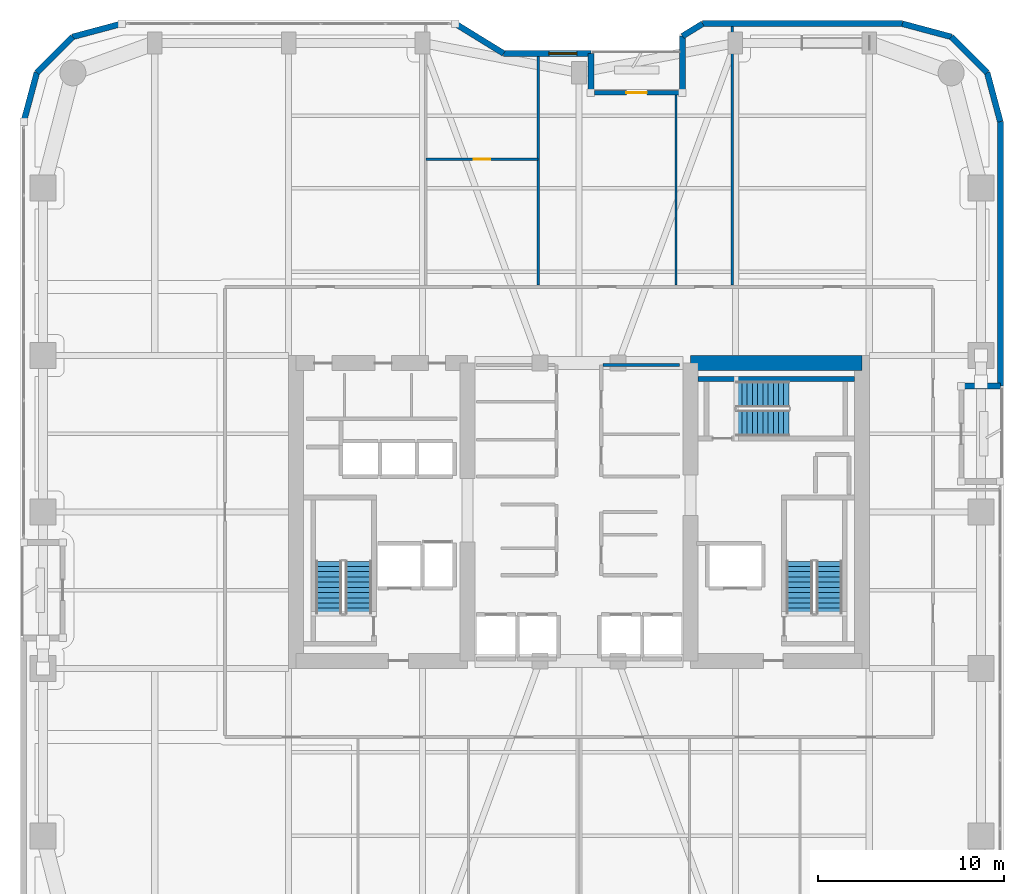
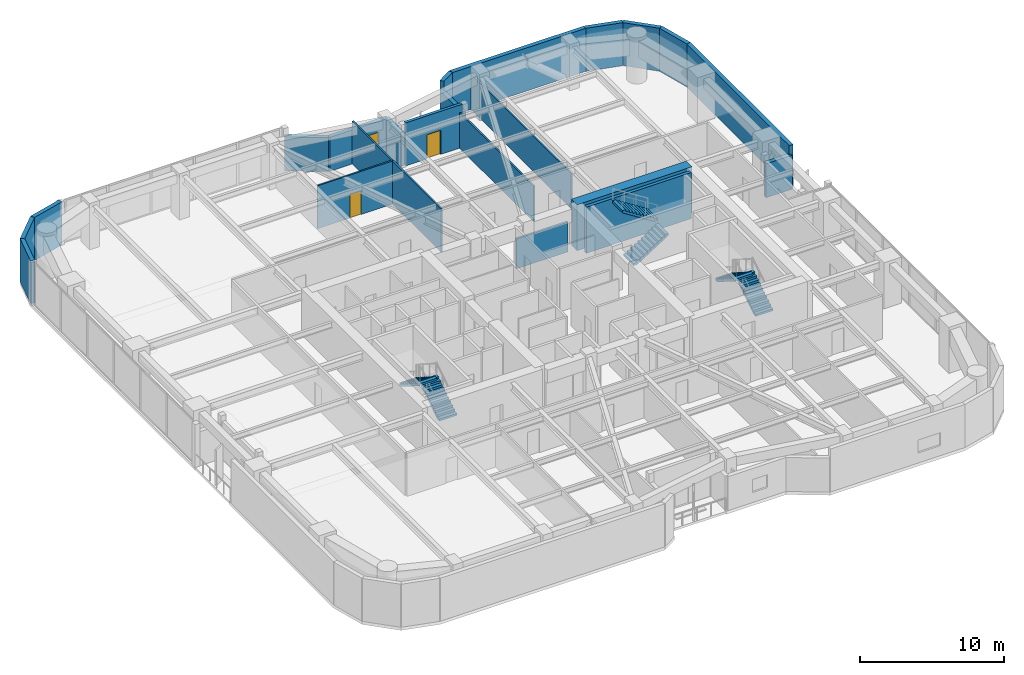
# One storey, part 21 of 24: 22 walls, 6 stair flights, 2 doors, 1 window, 3 openings, 3 elements without a shape of their own.
"""IFC4 building model written with IfcOpenShell, lengths in metres."""

from ifc_helpers import new_model, si_unit, direction, frame, frame_2d, origin, place, context, subcontext, project, spatial, polyline, rectangle, outline, extrude, material, layer, layer_set, type_object, element, fill, aggregate, save


model = new_model("IFC4")

# Units and contexts
model_context = context("Model", 3, precision=1e-05, world=origin(), true_north=direction((0.0, 1.0)))
body_context = subcontext(model_context, "Body", "Model", "MODEL_VIEW")
ifc_project = project(units=[si_unit("LENGTHUNIT", "METRE"), si_unit("AREAUNIT", "SQUARE_METRE"), si_unit("VOLUMEUNIT", "CUBIC_METRE"), si_unit("PLANEANGLEUNIT", "RADIAN"), si_unit("MASSUNIT", "GRAM", prefix="KILO")], contexts=[model_context])

# Site, building, storey
site_placement = place(None, origin())
site = spatial("IfcSite", under=ifc_project, at=site_placement, CompositionType="ELEMENT")
building_placement = place(site_placement, origin())
building = spatial("IfcBuilding", under=site, at=building_placement, Name="Kiyonajd Concourse Tower", CompositionType="ELEMENT")
storey_placement = place(building_placement, frame((0.0, 0.0, 101.39990234375)))
storey = spatial("IfcBuildingStorey", under=building, at=storey_placement, Name="L26", CompositionType="ELEMENT", Elevation=101.39990234375)

# Walls
ifc_material_1 = material(Name="Concrete C70/85", Category="concrete")
ifc_layer_1 = layer(ifc_material_1, 0.800048828125)
ifc_layer_set_1 = layer_set([ifc_layer_1], Name="Concrete C70/85")
wall_type_1 = type_object("IfcWallType", Name="WL-CORE-800", PredefinedType="SHEAR", material=ifc_layer_set_1)
wall_1_placement = place(storey_placement, frame((54.0, 44.0, 0.0), z_axis=(0.0, 0.0, 1.0), x_axis=(1.0, 0.0, 0.0)))
element("IfcWall", 1, at=wall_1_placement, inside=storey, type_object=wall_type_1, Name="L26 East Core North Shear Wall", PredefinedType="SHEAR", context=body_context, shape_type="SweptSolid", body=[
    extrude(rectangle(XDim=9.199951171875, YDim=0.800048828125, at=frame_2d((4.60009765625, 0.0))), origin(), (0.0, 0.0, 1.0), 3.900146484375),
])
ifc_material_2 = material(Name="Precast concrete C50/60", Category="concrete")
ifc_layer_2 = layer(ifc_material_2, 0.320068359375)
ifc_layer_set_2 = layer_set([ifc_layer_2], Name="Precast concrete C50/60")
wall_type_2 = type_object("IfcWallType", Name="WL-EXT-320", PredefinedType="SOLIDWALL", material=ifc_layer_set_2)
wall_2_placement = place(storey_placement, frame((18.159912109375, 56.97900390625, 0.0), z_axis=(0.0, 0.0, 1.0), x_axis=(0.25869736047, 0.965958423373, 0.0)))
element("IfcWall", 2, at=wall_2_placement, inside=storey, type_object=wall_type_2, Name="L26 Exterior Concrete Frame Wall 06", PredefinedType="SOLIDWALL", context=body_context, shape_type="SweptSolid", body=[
    extrude(rectangle(XDim=2.731201171875, YDim=0.320068359375, at=frame_2d((1.36572265625, 0.0))), origin(), (0.0, 0.0, 1.0), 3.64013671875),
])
wall_3_placement = place(storey_placement, frame((18.866455078125, 59.6171875, 0.0), z_axis=(0.0, 0.0, 1.0), x_axis=(0.707106781187, 0.707106781187, 0.0)))
element("IfcWall", 3, at=wall_3_placement, inside=storey, type_object=wall_type_2, Name="L26 Exterior Concrete Frame Wall 07", PredefinedType="SOLIDWALL", context=body_context, shape_type="SweptSolid", body=[
    extrude(rectangle(XDim=2.7099609375, YDim=0.320068359375, at=frame_2d((1.35498046875, 0.0))), origin(), (0.0, 0.0, 1.0), 3.64013671875),
])
wall_4_placement = place(storey_placement, frame((20.78271484375, 61.533447265625, 0.0), z_axis=(0.0, 0.0, 1.0), x_axis=(0.965964405026, 0.25867502435, 0.0)))
element("IfcWall", 4, at=wall_4_placement, inside=storey, type_object=wall_type_2, Name="L26 Exterior Concrete Frame Wall 08", PredefinedType="SOLIDWALL", context=body_context, shape_type="SweptSolid", body=[
    extrude(rectangle(XDim=2.7314453125, YDim=0.320068359375, at=frame_2d((1.36572265625, 0.0))), origin(), (0.0, 0.0, 1.0), 3.64013671875),
])
wall_5_placement = place(storey_placement, frame((41.354736328125, 62.239990234375, 0.0), z_axis=(0.0, 0.0, 1.0), x_axis=(0.851630857047, -0.524142044989, 0.0)))
element("IfcWall", 5, at=wall_5_placement, inside=storey, type_object=wall_type_2, Name="L26 Exterior Concrete Frame Wall 10", PredefinedType="SOLIDWALL", context=body_context, shape_type="SweptSolid", body=[
    extrude(rectangle(XDim=3.052734375, YDim=0.320068359375, at=frame_2d((1.5263671875, 0.0))), origin(), (0.0, 0.0, 1.0), 2.875),
])

# Wall, opening, window
wall_6_placement = place(storey_placement, frame((43.95458984375, 60.639892578125, 0.0), z_axis=(0.0, 0.0, 1.0), x_axis=(1.0, 0.0, 0.0)))
wall_6 = element("IfcWall", 6, at=wall_6_placement, inside=storey, type_object=wall_type_2, Name="L26 Exterior Concrete Frame Wall 11", PredefinedType="SOLIDWALL", context=body_context, shape_type="SweptSolid", body=[
    extrude(rectangle(XDim=4.685302734375, YDim=0.320068359375, at=frame_2d((2.3427734375, 0.0))), origin(), (0.0, 0.0, 1.0), 2.875),
])
opening_1_placement = place(wall_6_placement, frame((2.425048828125, 0.0, 0.85009765625)))
opening_1 = element("IfcOpeningElement", 7, at=opening_1_placement, cuts=wall_6, Name="Opening WN2", PredefinedType="OPENING", context=body_context, shape_type="SweptSolid", body=[
    extrude(rectangle(XDim=1.5, YDim=1.10009765625, at=frame_2d((0.75, 0.550048828125))), frame((0.0, 0.169921875, 0.0), z_axis=(0.0, -1.0, 0.0), x_axis=(1.0, 0.0, 0.0)), (0.0, 0.0, 1.0), 0.340087890625),
])
ifc_material_3 = material(Name="Double Low-E Insulated Glass", Category="glass")
window_type = type_object("IfcWindowType", Name="WN-VIS-1500x1100", PartitioningType="SINGLE_PANEL", PredefinedType="WINDOW", material=ifc_material_3)
window_placement = place(opening_1_placement, origin())
window = element("IfcWindow", 8, at=window_placement, inside=storey, type_object=window_type, Name="L26 Modular Facade Vision Window 11", OverallHeight=1.10009765625, OverallWidth=1.5, PartitioningType="SINGLE_PANEL", PredefinedType="WINDOW", context=body_context, shape_type="SweptSolid", body=[
    extrude(rectangle(XDim=1.5, YDim=1.10009765625, at=frame_2d((0.75, 0.550048828125))), frame((0.0, 0.030029296875, 0.0), z_axis=(0.0, -1.0, 0.0), x_axis=(1.0, 0.0, 0.0)), (0.0, 0.0, 1.0), 0.06005859375),
])
fill(opening_1, window)

# Walls
wall_7_placement = place(storey_placement, frame((48.639892578125, 60.639892578125, 0.0), z_axis=(0.0, 0.0, 1.0), x_axis=(0.0, -1.0, 0.0)))
element("IfcWall", 9, at=wall_7_placement, inside=storey, type_object=wall_type_2, Name="L26 Exterior Concrete Frame Wall 12", PredefinedType="SOLIDWALL", context=body_context, shape_type="SweptSolid", body=[
    extrude(rectangle(XDim=2.099853515625, YDim=0.320068359375, at=frame_2d((1.0498046875, 0.0))), origin(), (0.0, 0.0, 1.0), 2.875),
])
wall_8_placement = place(storey_placement, frame((53.56005859375, 58.5400390625, 0.0), z_axis=(0.0, 0.0, 1.0), x_axis=(0.0, 1.0, 0.0)))
element("IfcWall", 10, at=wall_8_placement, inside=storey, type_object=wall_type_2, Name="L26 Exterior Concrete Frame Wall 14", PredefinedType="SOLIDWALL", context=body_context, shape_type="SweptSolid", body=[
    extrude(rectangle(XDim=3.032470703125, YDim=0.320068359375, at=frame_2d((1.51611328125, 0.0))), origin(), (0.0, 0.0, 1.0), 2.875),
])
wall_9_placement = place(storey_placement, frame((53.56005859375, 61.572509765625, 0.0), z_axis=(0.0, 0.0, 1.0), x_axis=(0.851776724646, 0.523904964045, 0.0)))
element("IfcWall", 11, at=wall_9_placement, inside=storey, type_object=wall_type_2, Name="L26 Exterior Concrete Frame Wall 15", PredefinedType="SOLIDWALL", context=body_context, shape_type="SweptSolid", body=[
    extrude(rectangle(XDim=1.274169921875, YDim=0.320068359375, at=frame_2d((0.63720703125, 0.0))), origin(), (0.0, 0.0, 1.0), 3.64013671875),
])
wall_10_placement = place(storey_placement, frame((54.645263671875, 62.239990234375, 0.0), z_axis=(0.0, 0.0, 1.0), x_axis=(1.0, 0.0, 0.0)))
element("IfcWall", 12, at=wall_10_placement, inside=storey, type_object=wall_type_2, Name="L26 Exterior Concrete Frame Wall 16", PredefinedType="SOLIDWALL", context=body_context, shape_type="SweptSolid", body=[
    extrude(rectangle(XDim=10.733642578125, YDim=0.320068359375, at=frame_2d((5.36669921875, 0.0))), origin(), (0.0, 0.0, 1.0), 3.64013671875),
])
wall_11_placement = place(storey_placement, frame((65.37890625, 62.239990234375, 0.0), z_axis=(0.0, 0.0, 1.0), x_axis=(0.965958423373, -0.25869736047, 0.0)))
element("IfcWall", 13, at=wall_11_placement, inside=storey, type_object=wall_type_2, Name="L26 Exterior Concrete Frame Wall 17", PredefinedType="SOLIDWALL", context=body_context, shape_type="SweptSolid", body=[
    extrude(rectangle(XDim=2.731201171875, YDim=0.320068359375, at=frame_2d((1.36572265625, 0.0))), origin(), (0.0, 0.0, 1.0), 3.64013671875),
])
wall_12_placement = place(storey_placement, frame((68.01708984375, 61.533447265625, 0.0), z_axis=(0.0, 0.0, 1.0), x_axis=(0.707151821269, -0.707061738235, 0.0)))
element("IfcWall", 14, at=wall_12_placement, inside=storey, type_object=wall_type_2, Name="L26 Exterior Concrete Frame Wall 18", PredefinedType="SOLIDWALL", context=body_context, shape_type="SweptSolid", body=[
    extrude(rectangle(XDim=2.710205078125, YDim=0.320068359375, at=frame_2d((1.35498046875, 0.0))), origin(), (0.0, 0.0, 1.0), 3.64013671875),
])
wall_13_placement = place(storey_placement, frame((69.93359375, 59.6171875, 0.0), z_axis=(0.0, 0.0, 1.0), x_axis=(0.258613949072, -0.965980758269, 0.0)))
element("IfcWall", 15, at=wall_13_placement, inside=storey, type_object=wall_type_2, Name="L26 Exterior Concrete Frame Wall 19", PredefinedType="SOLIDWALL", context=body_context, shape_type="SweptSolid", body=[
    extrude(rectangle(XDim=2.731201171875, YDim=0.320068359375, at=frame_2d((1.36572265625, 0.0))), origin(), (0.0, 0.0, 1.0), 3.64013671875),
])
wall_14_placement = place(storey_placement, frame((70.639892578125, 56.97900390625, 0.0), z_axis=(0.0, 0.0, 1.0), x_axis=(0.0, -1.0, 0.0)))
element("IfcWall", 16, at=wall_14_placement, inside=storey, type_object=wall_type_2, Name="L26 Exterior Concrete Frame Wall 20", PredefinedType="SOLIDWALL", context=body_context, shape_type="SweptSolid", body=[
    extrude(rectangle(XDim=14.218994140625, YDim=0.320068359375, at=frame_2d((7.109375, 0.0))), origin(), (0.0, 0.0, 1.0), 3.64013671875),
])
wall_15_placement = place(storey_placement, frame((70.639892578125, 42.760009765625, 0.0), z_axis=(0.0, 0.0, 1.0), x_axis=(-1.0, 0.0, 0.0)))
element("IfcWall", 17, at=wall_15_placement, inside=storey, type_object=wall_type_2, Name="L26 Exterior Concrete Frame Wall 21", PredefinedType="SOLIDWALL", context=body_context, shape_type="SweptSolid", body=[
    extrude(rectangle(XDim=2.099853515625, YDim=0.320068359375, at=frame_2d((1.0498046875, 0.0))), origin(), (0.0, 0.0, 1.0), 2.875),
])

# Wall, opening, door
ifc_layer_3 = layer(ifc_material_2, 0.239990234375)
ifc_layer_set_3 = layer_set([ifc_layer_3], Name="Precast concrete C50/60")
wall_type_3 = type_object("IfcWallType", Name="WL-LOG-240", PredefinedType="SOLIDWALL", material=ifc_layer_set_3)
wall_16_placement = place(storey_placement, frame((48.8349609375, 58.5400390625, 0.0), z_axis=(0.0, 0.0, 1.0), x_axis=(1.0, 0.0, 0.0)))
wall_16 = element("IfcWall", 18, at=wall_16_placement, inside=storey, type_object=wall_type_3, Name="L26 Recessed Loggia Thermal Wall LOG-N", PredefinedType="SOLIDWALL", context=body_context, shape_type="SweptSolid", body=[
    extrude(rectangle(XDim=4.530029296875, YDim=0.239990234375, at=frame_2d((2.26513671875, 0.0))), origin(), (0.0, 0.0, 1.0), 3.64013671875),
])
opening_2_placement = place(wall_16_placement, frame((1.715087890625, 0.0, 0.0)))
opening_2 = element("IfcOpeningElement", 19, at=opening_2_placement, cuts=wall_16, Name="Opening DL2", PredefinedType="OPENING", context=body_context, shape_type="SweptSolid", body=[
    extrude(rectangle(XDim=1.10009765625, YDim=2.0400390625, at=frame_2d((0.550048828125, 1.02001953125))), frame((0.0, 0.1298828125, 0.0), z_axis=(0.0, -1.0, 0.0), x_axis=(1.0, 0.0, 0.0)), (0.0, 0.0, 1.0), 0.260009765625),
])
ifc_material_4 = material(Name="Thermally Broken Anodised Aluminium", Category="aluminium")
door_type_1 = type_object("IfcDoorType", Name="DR-LOG-1100", OperationType="NOTDEFINED", PredefinedType="DOOR", material=ifc_material_4)
door_1_placement = place(opening_2_placement, origin())
door_1 = element("IfcDoor", 20, at=door_1_placement, inside=storey, type_object=door_type_1, Name="L26 Engawa Loggia Access Door LOG-N", OperationType="SINGLE_SWING_RIGHT", OverallHeight=2.0400390625, OverallWidth=1.10009765625, PredefinedType="DOOR", context=body_context, shape_type="SweptSolid", body=[
    extrude(rectangle(XDim=1.10009765625, YDim=2.0400390625, at=frame_2d((0.550048828125, 1.02001953125))), frame((0.0, 0.02490234375, 0.0), z_axis=(0.0, -1.0, 0.0), x_axis=(1.0, 0.0, 0.0)), (0.0, 0.0, 1.0), 0.050048828125),
])
fill(opening_2, door_1)

ifc_material_5 = material(Name="Gypsum Board on Cold-Formed Steel Stud", Category="steel")
ifc_layer_4 = layer(ifc_material_5, 0.125)
ifc_layer_set_4 = layer_set([ifc_layer_4], Name="Gypsum Board on Cold-Formed Steel Stud")
wall_type_4 = type_object("IfcWallType", Name="WL-PART-125", PredefinedType="PARTITIONING", material=ifc_layer_set_4)
wall_17_placement = place(storey_placement, frame((39.77001953125, 54.9599609375, 0.0), z_axis=(0.0, 0.0, 1.0), x_axis=(1.0, 0.0, 0.0)))
wall_17 = element("IfcWall", 21, at=wall_17_placement, inside=storey, type_object=wall_type_4, Name="L26 Interior Partition Wall", PredefinedType="PARTITIONING", context=body_context, shape_type="SweptSolid", body=[
    extrude(rectangle(XDim=6.0400390625, YDim=0.125, at=frame_2d((3.02001953125, 0.0))), origin(), (0.0, 0.0, 1.0), 3.64013671875),
])
opening_3_placement = place(wall_17_placement, frame((2.570068359375, 0.0, 0.0)))
opening_3 = element("IfcOpeningElement", 22, at=opening_3_placement, cuts=wall_17, Name="Opening DI2", PredefinedType="OPENING", context=body_context, shape_type="SweptSolid", body=[
    extrude(rectangle(XDim=0.89990234375, YDim=2.02001953125, at=frame_2d((0.449951171875, 1.010009765625))), frame((0.0, 0.072509765625, 0.0), z_axis=(0.0, -1.0, 0.0), x_axis=(1.0, 0.0, 0.0)), (0.0, 0.0, 1.0), 0.14501953125),
])
ifc_material_6 = material(Name="Natural Oak Acoustic Timber Veneer", Category="wood")
door_type_2 = type_object("IfcDoorType", Name="DR-INT-900", OperationType="NOTDEFINED", PredefinedType="DOOR", material=ifc_material_6)
door_2_placement = place(opening_3_placement, origin())
door_2 = element("IfcDoor", 23, at=door_2_placement, inside=storey, type_object=door_type_2, Name="L26 Interior Door", OperationType="SINGLE_SWING_RIGHT", OverallHeight=2.02001953125, OverallWidth=0.89990234375, PredefinedType="DOOR", context=body_context, shape_type="SweptSolid", body=[
    extrude(rectangle(XDim=0.89990234375, YDim=2.02001953125, at=frame_2d((0.449951171875, 1.010009765625))), frame((0.0, 0.02490234375, 0.0), z_axis=(0.0, -1.0, 0.0), x_axis=(1.0, 0.0, 0.0)), (0.0, 0.0, 1.0), 0.050048828125),
])
fill(opening_3, door_2)

# Walls
wall_18_placement = place(storey_placement, frame((45.81005859375, 48.18701171875, 0.0), z_axis=(0.0, 0.0, 1.0), x_axis=(0.0, 1.0, 0.0)))
element("IfcWall", 24, at=wall_18_placement, inside=storey, type_object=wall_type_4, Name="L26 Interior Partition Wall", PredefinedType="PARTITIONING", context=body_context, shape_type="SweptSolid", body=[
    extrude(rectangle(XDim=12.298095703125, YDim=0.125, at=frame_2d((6.14892578125, 0.0))), origin(), (0.0, 0.0, 1.0), 3.64013671875),
])
wall_19_placement = place(storey_placement, frame((53.2099609375, 48.18701171875, 0.0), z_axis=(0.0, 0.0, 1.0), x_axis=(0.0, 1.0, 0.0)))
element("IfcWall", 25, at=wall_19_placement, inside=storey, type_object=wall_type_4, Name="L26 Interior Partition Wall", PredefinedType="PARTITIONING", context=body_context, shape_type="SweptSolid", body=[
    extrude(rectangle(XDim=10.238037109375, YDim=0.125, at=frame_2d((5.119140625, 0.0))), origin(), (0.0, 0.0, 1.0), 3.003173828125),
])
wall_20_placement = place(storey_placement, frame((56.22998046875, 48.18701171875, 0.0), z_axis=(0.0, 0.0, 1.0), x_axis=(0.0, 1.0, 0.0)))
element("IfcWall", 26, at=wall_20_placement, inside=storey, type_object=wall_type_4, Name="L26 Interior Partition Wall", PredefinedType="PARTITIONING", context=body_context, shape_type="SweptSolid", body=[
    extrude(rectangle(XDim=13.89794921875, YDim=0.125, at=frame_2d((6.948974609375, 0.0))), origin(), (0.0, 0.0, 1.0), 3.003173828125),
])
ifc_layer_5 = layer(ifc_material_5, 0.169921875)
ifc_layer_set_5 = layer_set([ifc_layer_5], Name="Gypsum Board on Cold-Formed Steel Stud")
wall_type_5 = type_object("IfcWallType", Name="WL-SMK-170", PredefinedType="PARTITIONING", material=ifc_layer_set_5)
wall_21_placement = place(storey_placement, frame((49.287109375, 43.89990234375, 0.0), z_axis=(0.0, 0.0, 1.0), x_axis=(1.0, 0.0, 0.0)))
element("IfcWall", 27, at=wall_21_placement, inside=storey, type_object=wall_type_5, Name="L26 Interior Partition Wall", PredefinedType="PARTITIONING", context=body_context, shape_type="SweptSolid", body=[
    extrude(rectangle(XDim=4.11279296875, YDim=0.169921875, at=frame_2d((2.056396484375, 0.0))), origin(), (0.0, 0.0, 1.0), 2.525146484375),
])
ifc_material_7 = material(Name="Concrete C50/60", Category="concrete")
ifc_layer_6 = layer(ifc_material_7, 0.260009765625)
ifc_layer_set_6 = layer_set([ifc_layer_6], Name="Concrete C50/60")
wall_type_6 = type_object("IfcWallType", Name="WL-STAIR-260", PredefinedType="SHEAR", material=ifc_layer_set_6)
wall_22_placement = place(storey_placement, frame((54.39990234375, 43.14990234375, 0.0), z_axis=(0.0, 0.0, 1.0), x_axis=(1.0, 0.0, 0.0)))
element("IfcWall", 28, at=wall_22_placement, inside=storey, type_object=wall_type_6, Name="L26 Stair ST3 Structural North Wall", PredefinedType="SHEAR", context=body_context, shape_type="SweptSolid", body=[
    extrude(rectangle(XDim=8.400146484375, YDim=0.260009765625, at=frame_2d((4.2001953125, 0.0))), origin(), (0.0, 0.0, 1.0), 3.900146484375),
])

# Stair, stair flights
ifc_material_8 = material(Name="Concrete C40/50", Category="concrete")
stair_type = type_object("IfcStairType", Name="ST-DLG-22R", PredefinedType="HALF_TURN_STAIR", material=ifc_material_8)
stair_1_placement = place(storey_placement, origin())
stair_1 = element("IfcStair", 29, at=stair_1_placement, inside=storey, type_object=stair_type, Name="L26 Protected Exit Stair ST1", PredefinedType="HALF_TURN_STAIR")
stair_flight_type = type_object("IfcStairFlightType", Name="SF-STR-22R", PredefinedType="STRAIGHT", material=ifc_material_8)
stair_flight_1_placement = place(storey_placement, frame((36.14990234375, 30.550048828125, 0.0), z_axis=(0.0, 0.0, 1.0), x_axis=(0.0, 1.0, 0.0)))
stair_flight_1 = element("IfcStairFlight", 30, at=stair_flight_1_placement, type_object=stair_flight_type, Name="ST1 flight 1", NumberOfRisers=11, NumberOfTreads=10, PredefinedType="STRAIGHT", RiserHeight=0.177272727, TreadLength=0.28, context=body_context, shape_type="SweptSolid", body=[
    extrude(outline(polyline([(0.0, 0.0), (0.0, 0.17724609375), (0.280029296875, 0.17724609375), (0.280029296875, 0.3544921875), (0.56005859375, 0.3544921875), (0.56005859375, 0.53173828125), (0.840087890625, 0.53173828125), (0.840087890625, 0.708984375), (1.1201171875, 0.708984375), (1.1201171875, 0.886474609375), (1.39990234375, 0.886474609375), (1.39990234375, 1.063720703125), (1.679931640625, 1.063720703125), (1.679931640625, 1.240966796875), (1.9599609375, 1.240966796875), (1.9599609375, 1.418212890625), (2.239990234375, 1.418212890625), (2.239990234375, 1.595458984375), (2.52001953125, 1.595458984375), (2.52001953125, 1.772705078125), (2.800048828125, 1.772705078125), (2.800048828125, 1.949951171875), (2.800048828125, 1.59521484375), (0.2802734375, 0.0), (0.0, 0.0)])), frame((0.0, 0.699951171875, 0.0), z_axis=(0.0, -1.0, 0.0), x_axis=(1.0, 0.0, 0.0)), (0.0, 0.0, 1.0), 1.39990234375),
])
stair_flight_2_placement = place(storey_placement, frame((34.550048828125, 33.35009765625, 1.9501953125), z_axis=(0.0, 0.0, 1.0), x_axis=(0.0, -1.0, 0.0)))
stair_flight_2 = element("IfcStairFlight", 31, at=stair_flight_2_placement, type_object=stair_flight_type, Name="ST1 flight 2", NumberOfRisers=11, NumberOfTreads=10, PredefinedType="STRAIGHT", RiserHeight=0.177272727, TreadLength=0.28, context=body_context, shape_type="SweptSolid", body=[
    extrude(outline(polyline([(0.0, 0.0), (0.0, 0.17724609375), (0.280029296875, 0.17724609375), (0.280029296875, 0.3544921875), (0.56005859375, 0.3544921875), (0.56005859375, 0.53173828125), (0.840087890625, 0.53173828125), (0.840087890625, 0.708984375), (1.1201171875, 0.708984375), (1.1201171875, 0.886474609375), (1.39990234375, 0.886474609375), (1.39990234375, 1.063720703125), (1.679931640625, 1.063720703125), (1.679931640625, 1.240966796875), (1.9599609375, 1.240966796875), (1.9599609375, 1.418212890625), (2.239990234375, 1.418212890625), (2.239990234375, 1.595458984375), (2.52001953125, 1.595458984375), (2.52001953125, 1.772705078125), (2.800048828125, 1.772705078125), (2.800048828125, 1.949951171875), (2.800048828125, 1.59521484375), (0.2802734375, 0.0), (0.0, 0.0)])), frame((0.0, 0.699951171875, 0.0), z_axis=(0.0, -1.0, 0.0), x_axis=(1.0, 0.0, 0.0)), (0.0, 0.0, 1.0), 1.39990234375),
])
aggregate(stair_1, [stair_flight_1, stair_flight_2])

stair_2_placement = place(storey_placement, origin())
stair_2 = element("IfcStair", 32, at=stair_2_placement, inside=storey, type_object=stair_type, Name="L26 Protected Exit Stair ST2", PredefinedType="HALF_TURN_STAIR")
stair_flight_3_placement = place(storey_placement, frame((61.449951171875, 30.550048828125, 0.0), z_axis=(0.0, 0.0, 1.0), x_axis=(0.0, 1.0, 0.0)))
stair_flight_3 = element("IfcStairFlight", 33, at=stair_flight_3_placement, type_object=stair_flight_type, Name="ST2 flight 1", NumberOfRisers=11, NumberOfTreads=10, PredefinedType="STRAIGHT", RiserHeight=0.177272727, TreadLength=0.28, context=body_context, shape_type="SweptSolid", body=[
    extrude(outline(polyline([(0.0, 0.0), (0.0, 0.17724609375), (0.280029296875, 0.17724609375), (0.280029296875, 0.3544921875), (0.56005859375, 0.3544921875), (0.56005859375, 0.53173828125), (0.840087890625, 0.53173828125), (0.840087890625, 0.708984375), (1.1201171875, 0.708984375), (1.1201171875, 0.886474609375), (1.39990234375, 0.886474609375), (1.39990234375, 1.063720703125), (1.679931640625, 1.063720703125), (1.679931640625, 1.240966796875), (1.9599609375, 1.240966796875), (1.9599609375, 1.418212890625), (2.239990234375, 1.418212890625), (2.239990234375, 1.595458984375), (2.52001953125, 1.595458984375), (2.52001953125, 1.772705078125), (2.800048828125, 1.772705078125), (2.800048828125, 1.949951171875), (2.800048828125, 1.59521484375), (0.2802734375, 0.0), (0.0, 0.0)])), frame((0.0, 0.699951171875, 0.0), z_axis=(0.0, -1.0, 0.0), x_axis=(1.0, 0.0, 0.0)), (0.0, 0.0, 1.0), 1.39990234375),
])
stair_flight_4_placement = place(storey_placement, frame((59.85009765625, 33.35009765625, 1.9501953125), z_axis=(0.0, 0.0, 1.0), x_axis=(0.0, -1.0, 0.0)))
stair_flight_4 = element("IfcStairFlight", 34, at=stair_flight_4_placement, type_object=stair_flight_type, Name="ST2 flight 2", NumberOfRisers=11, NumberOfTreads=10, PredefinedType="STRAIGHT", RiserHeight=0.177272727, TreadLength=0.28, context=body_context, shape_type="SweptSolid", body=[
    extrude(outline(polyline([(0.0, 0.0), (0.0, 0.17724609375), (0.280029296875, 0.17724609375), (0.280029296875, 0.3544921875), (0.56005859375, 0.3544921875), (0.56005859375, 0.53173828125), (0.840087890625, 0.53173828125), (0.840087890625, 0.708984375), (1.1201171875, 0.708984375), (1.1201171875, 0.886474609375), (1.39990234375, 0.886474609375), (1.39990234375, 1.063720703125), (1.679931640625, 1.063720703125), (1.679931640625, 1.240966796875), (1.9599609375, 1.240966796875), (1.9599609375, 1.418212890625), (2.239990234375, 1.418212890625), (2.239990234375, 1.595458984375), (2.52001953125, 1.595458984375), (2.52001953125, 1.772705078125), (2.800048828125, 1.772705078125), (2.800048828125, 1.949951171875), (2.800048828125, 1.59521484375), (0.2802734375, 0.0), (0.0, 0.0)])), frame((0.0, 0.699951171875, 0.0), z_axis=(0.0, -1.0, 0.0), x_axis=(1.0, 0.0, 0.0)), (0.0, 0.0, 1.0), 1.39990234375),
])
aggregate(stair_2, [stair_flight_3, stair_flight_4])

stair_3_placement = place(storey_placement, origin())
stair_3 = element("IfcStair", 35, at=stair_3_placement, inside=storey, type_object=stair_type, Name="L26 Protected Exit Stair ST3", PredefinedType="HALF_TURN_STAIR")
stair_flight_5_placement = place(storey_placement, frame((56.47998046875, 40.780029296875, 0.0), z_axis=(0.0, 0.0, 1.0), x_axis=(1.0, 0.0, 0.0)))
stair_flight_5 = element("IfcStairFlight", 36, at=stair_flight_5_placement, type_object=stair_flight_type, Name="ST3 flight 1", NumberOfRisers=11, NumberOfTreads=10, PredefinedType="STRAIGHT", RiserHeight=0.177272727, TreadLength=0.28, context=body_context, shape_type="SweptSolid", body=[
    extrude(outline(polyline([(0.0, 0.0), (0.0, 0.17724609375), (0.280029296875, 0.17724609375), (0.280029296875, 0.3544921875), (0.56005859375, 0.3544921875), (0.56005859375, 0.53173828125), (0.840087890625, 0.53173828125), (0.840087890625, 0.708984375), (1.1201171875, 0.708984375), (1.1201171875, 0.886474609375), (1.39990234375, 0.886474609375), (1.39990234375, 1.063720703125), (1.679931640625, 1.063720703125), (1.679931640625, 1.240966796875), (1.9599609375, 1.240966796875), (1.9599609375, 1.418212890625), (2.239990234375, 1.418212890625), (2.239990234375, 1.595458984375), (2.52001953125, 1.595458984375), (2.52001953125, 1.772705078125), (2.800048828125, 1.772705078125), (2.800048828125, 1.949951171875), (2.800048828125, 1.59521484375), (0.2802734375, 0.0), (0.0, 0.0)])), frame((0.0, 0.699951171875, 0.0), z_axis=(0.0, -1.0, 0.0), x_axis=(1.0, 0.0, 0.0)), (0.0, 0.0, 1.0), 1.39990234375),
])
stair_flight_6_placement = place(storey_placement, frame((59.280029296875, 42.320068359375, 1.9501953125), z_axis=(0.0, 0.0, 1.0), x_axis=(-1.0, 0.0, 0.0)))
stair_flight_6 = element("IfcStairFlight", 37, at=stair_flight_6_placement, type_object=stair_flight_type, Name="ST3 flight 2", NumberOfRisers=11, NumberOfTreads=10, PredefinedType="STRAIGHT", RiserHeight=0.177272727, TreadLength=0.28, context=body_context, shape_type="SweptSolid", body=[
    extrude(outline(polyline([(0.0, 0.0), (0.0, 0.17724609375), (0.280029296875, 0.17724609375), (0.280029296875, 0.3544921875), (0.56005859375, 0.3544921875), (0.56005859375, 0.53173828125), (0.840087890625, 0.53173828125), (0.840087890625, 0.708984375), (1.1201171875, 0.708984375), (1.1201171875, 0.886474609375), (1.39990234375, 0.886474609375), (1.39990234375, 1.063720703125), (1.679931640625, 1.063720703125), (1.679931640625, 1.240966796875), (1.9599609375, 1.240966796875), (1.9599609375, 1.418212890625), (2.239990234375, 1.418212890625), (2.239990234375, 1.595458984375), (2.52001953125, 1.595458984375), (2.52001953125, 1.772705078125), (2.800048828125, 1.772705078125), (2.800048828125, 1.949951171875), (2.800048828125, 1.59521484375), (0.2802734375, 0.0), (0.0, 0.0)])), frame((0.0, 0.699951171875, 0.0), z_axis=(0.0, -1.0, 0.0), x_axis=(1.0, 0.0, 0.0)), (0.0, 0.0, 1.0), 1.39990234375),
])
aggregate(stair_3, [stair_flight_5, stair_flight_6])

save(model, "model.ifc")
